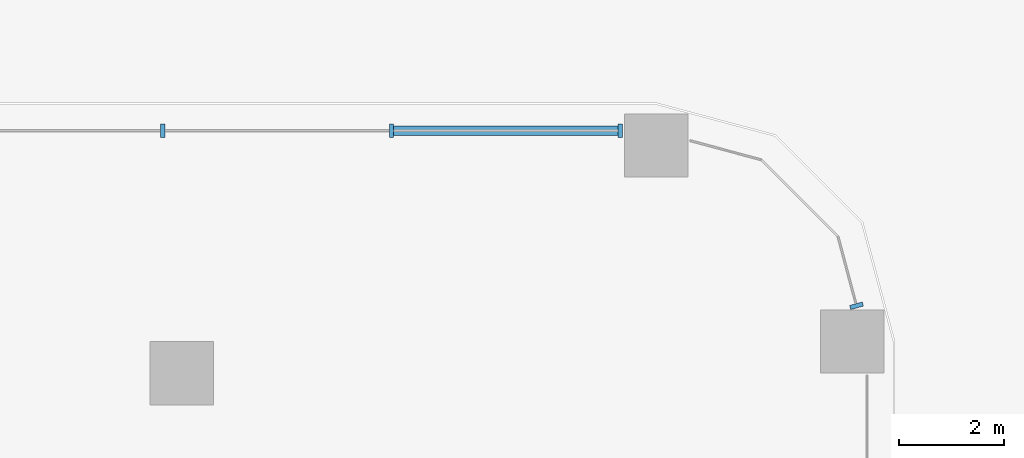
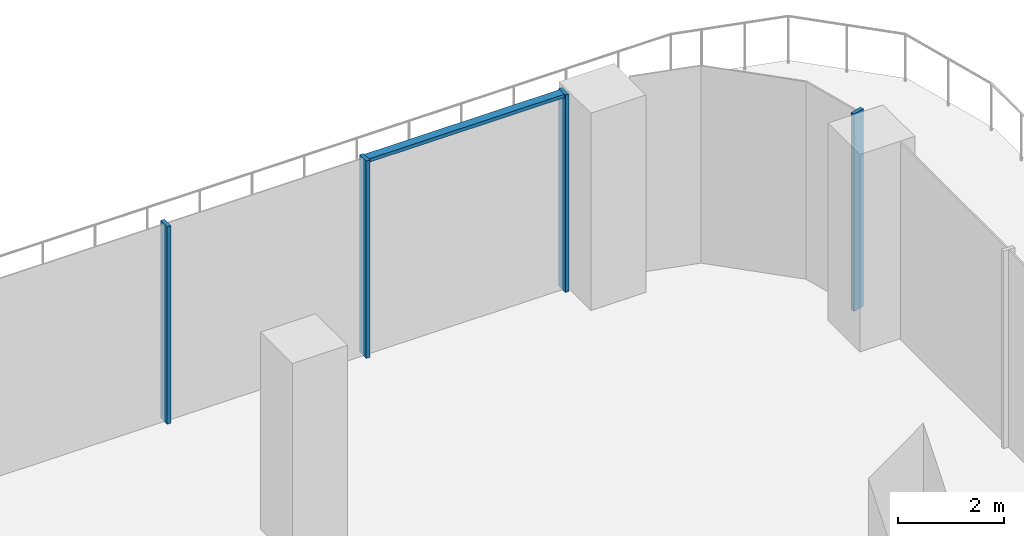
# One storey, part 9 of 30: 5 members, 2 elements without a shape of their own.
"""IFC4 building model written with IfcOpenShell, lengths in metres."""

from ifc_helpers import new_model, si_unit, direction, frame, origin, place, context, subcontext, project, spatial, polyline, outline, extrude, source, transform, mapped, material, type_object, element, aggregate, save


model = new_model("IFC4")

# Units and contexts
model_context = context("Model", 3, precision=1e-05, world=origin(), true_north=direction((0.0, 1.0)))
body_context = subcontext(model_context, "Body", "Model", "MODEL_VIEW")
ifc_project = project(units=[si_unit("LENGTHUNIT", "METRE"), si_unit("AREAUNIT", "SQUARE_METRE"), si_unit("VOLUMEUNIT", "CUBIC_METRE"), si_unit("PLANEANGLEUNIT", "RADIAN"), si_unit("MASSUNIT", "GRAM", prefix="KILO")], contexts=[model_context])

# Site, building, storey
site_placement = place(None, origin())
site = spatial("IfcSite", under=ifc_project, at=site_placement, CompositionType="ELEMENT")
building_placement = place(site_placement, origin())
building = spatial("IfcBuilding", under=site, at=building_placement, Name="Zarbagh Exchange Tower", CompositionType="ELEMENT")
storey_placement = place(building_placement, frame((0.0, 0.0, 7.0)))
storey = spatial("IfcBuildingStorey", under=building, at=storey_placement, Name="L01", CompositionType="ELEMENT", Elevation=7.0)

# Curtain wall, member
ifc_material_1 = material(Name="Anodised aluminium frame and glazing", Category="aluminium")
curtain_wall_type = type_object("IfcCurtainWallType", Name="CWC Podium garden-wall glazing", PredefinedType="NOTDEFINED", material=ifc_material_1)
curtain_wall_1_placement = place(storey_placement, origin())
curtain_wall_1 = element("IfcCurtainWall", 1, at=curtain_wall_1_placement, inside=storey, type_object=curtain_wall_type, Name="CWC71 curtain wall", PredefinedType="NOTDEFINED")
ifc_material_2 = material(Name="Anodised aluminium frame", Category="aluminium")
member_type_1 = type_object("IfcMemberType", Name="MUC Mullion, anodised aluminium frame", PredefinedType="MULLION", material=ifc_material_2)
shared_shape_1 = source(origin(), body_context, "Body", "SweptSolid", [
    extrude(outline(polyline([(0.0, -0.125), (0.080078125, -0.125), (0.080078125, 0.125), (0.0, 0.125), (0.0, -0.125)])), origin(), (0.0, 0.0, 1.0), 4.550048828125),
])
placement = place(storey_placement, origin())
member_1 = element("IfcMember", 2, at=placement, type_object=member_type_1, Name="CWC71 mullion 1.1", PredefinedType="MULLION", context=body_context, shape_type="MappedRepresentation", body=[
    mapped(shared_shape_1, transform((24.060791015625, 47.889892578125, 0.0), x_axis=(-0.258824779902, 0.965924289636, 0.0), y_axis=(-0.965924289636, -0.258824779902, 0.0), z_axis=(0.0, 0.0, 1.0))),
])
aggregate(curtain_wall_1, [member_1])

# Curtain wall, members
curtain_wall_2_placement = place(storey_placement, origin())
curtain_wall_2 = element("IfcCurtainWall", 3, at=curtain_wall_2_placement, inside=storey, type_object=curtain_wall_type, Name="CWC74 curtain wall", PredefinedType="NOTDEFINED")
member_2 = element("IfcMember", 4, at=placement, type_object=member_type_1, Name="CWC74 mullion 1.1", PredefinedType="MULLION", context=body_context, shape_type="MappedRepresentation", body=[
    mapped(shared_shape_1, transform((19.60986328125, 51.25, 0.0), x_axis=(-1.0, 0.0, 0.0), y_axis=(0.0, -1.0, 0.0), z_axis=(0.0, 0.0, 1.0))),
])
member_3 = element("IfcMember", 5, at=placement, type_object=member_type_1, Name="CWC74 mullion 1.2", PredefinedType="MULLION", context=body_context, shape_type="MappedRepresentation", body=[
    mapped(shared_shape_1, transform((15.27001953125, 51.25, 0.0), x_axis=(-1.0, 0.0, 0.0), y_axis=(0.0, -1.0, 0.0), z_axis=(0.0, 0.0, 1.0))),
])
member_4 = element("IfcMember", 6, at=placement, type_object=member_type_1, Name="CWC74 mullion 1.3", PredefinedType="MULLION", context=body_context, shape_type="MappedRepresentation", body=[
    mapped(shared_shape_1, transform((10.929931640625, 51.25, 0.0), x_axis=(-1.0, 0.0, 0.0), y_axis=(0.0, -1.0, 0.0), z_axis=(0.0, 0.0, 1.0))),
])
member_type_2 = type_object("IfcMemberType", Name="TRC Transom, anodised aluminium frame", PredefinedType="USERDEFINED", material=ifc_material_2)
shared_shape_2 = source(origin(), body_context, "Body", "SweptSolid", [
    extrude(outline(polyline([(-0.080078125, -0.090087890625), (0.0, -0.090087890625), (0.0, 0.090087890625), (-0.080078125, 0.090087890625), (-0.080078125, -0.090087890625)])), origin(), (0.0, 0.0, 1.0), 4.260009765625),
])
member_5 = element("IfcMember", 7, at=placement, type_object=member_type_2, Name="CWC74 transom 1.1", ObjectType="TRANSOM", PredefinedType="USERDEFINED", context=body_context, shape_type="MappedRepresentation", body=[
    mapped(shared_shape_2, transform((19.530029296875, 51.25, 4.550048828125), x_axis=(0.0, 0.0, 1.0), y_axis=(0.0, 1.0, 0.0), z_axis=(-1.0, 0.0, 0.0))),
])
aggregate(curtain_wall_2, [member_2, member_5, member_3, member_4])

save(model, "model.ifc")
